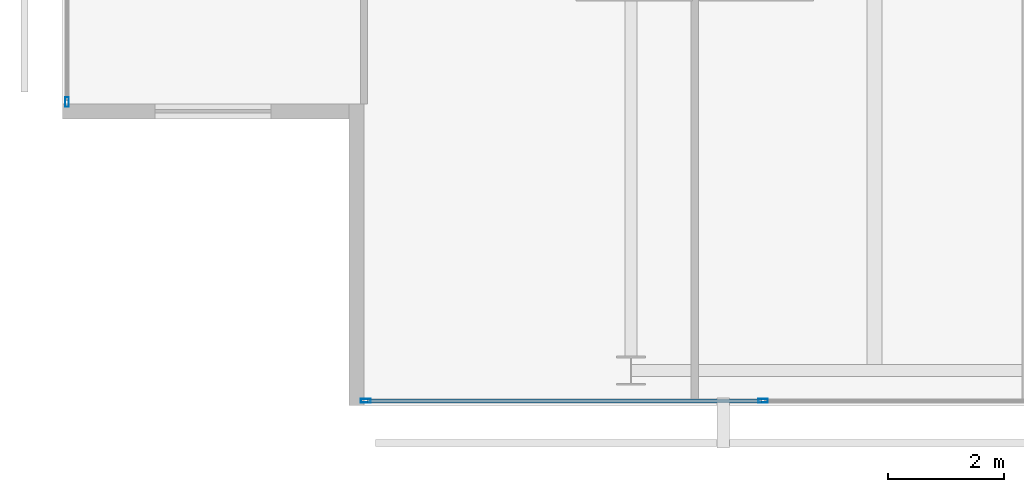
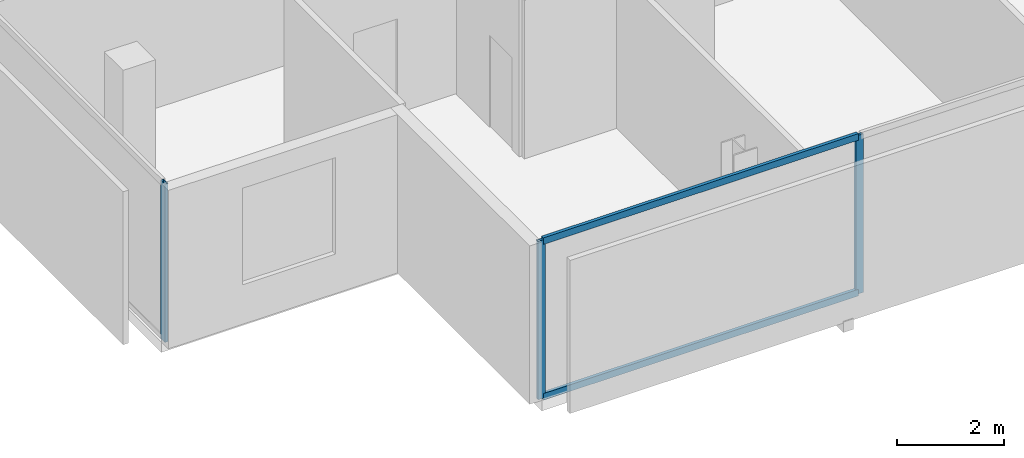
# One storey, part 2 of 26: 5 members, 2 elements without a shape of their own.
"""IFC4 building model written with IfcOpenShell, lengths in metres."""

import ifcopenshell
import ifcopenshell.guid

model = None  # the IFC model being written
_history = None  # IfcOwnerHistory: only IFC2X3 demands one
_inside = {}  # id of a spatial element -> (the spatial element, [elements in it])
_under = {}  # id of a project, library or spatial element -> (it, [spatial elements below it])
_declared = {}  # id of a project -> (the project, [libraries it declares])
_typed = {}  # id of a type object -> (the type object, [elements of that type])
_made_of = {}  # id of a material, layer set ... -> (it, [elements and type objects made of it])


def new_model(schema):
    """Start an empty IFC model of exactly this schema.

    Asked for "IFC4X3", IfcOpenShell would pick the latest addendum, in which some entities
    have other attributes; the version numbers below select the first issue.
    IFC2X3 requires an IfcOwnerHistory on every rooted entity: one is made here for all.
    """
    global model, _history
    if schema == "IFC4X3":
        model = ifcopenshell.file(schema_version=(4, 3, 0, 0))
    else:
        model = ifcopenshell.file(schema=schema)
    _inside.clear()
    _under.clear()
    _declared.clear()
    _typed.clear()
    _made_of.clear()
    _history = None
    if model.schema == "IFC2X3":
        org = make("IfcOrganization", Name="unknown")
        user = make(
            "IfcPersonAndOrganization",
            ThePerson=make("IfcPerson", FamilyName="unknown"),
            TheOrganization=org,
        )
        app = make(
            "IfcApplication",
            ApplicationDeveloper=org,
            Version="unknown",
            ApplicationFullName="unknown",
            ApplicationIdentifier="unknown",
        )
        _history = make(
            "IfcOwnerHistory",
            OwningUser=user,
            OwningApplication=app,
            ChangeAction="ADDED",
            CreationDate=0,
        )
    return model


def make(cls, **values):
    """One entity of the class cls with the attributes given. An attribute that is None is left unset."""
    return model.create_entity(
        cls, **{name: value for name, value in values.items() if value is not None}
    )


def rooted(cls, **values):
    """An entity with a GlobalId (a new one), such as an element, a storey or a relation."""
    return make(cls, GlobalId=ifcopenshell.guid.new(), OwnerHistory=_history, **values)


def si_unit(unit_type, name, prefix=None):
    """IfcSIUnit, for example si_unit("LENGTHUNIT", "METRE", prefix="MILLI")."""
    return make("IfcSIUnit", UnitType=unit_type, Prefix=prefix, Name=name)


def assignment(units):
    """IfcUnitAssignment: the units of a project."""
    return None if units is None else make("IfcUnitAssignment", Units=units)


def point(xyz):
    """IfcCartesianPoint."""
    return None if xyz is None else make("IfcCartesianPoint", Coordinates=xyz)


def direction(xyz):
    """IfcDirection."""
    return None if xyz is None else make("IfcDirection", DirectionRatios=xyz)


def frame(location, z_axis=None, x_axis=None):
    """IfcAxis2Placement3D, a coordinate frame: its origin and axes. An axis left out is left unset."""
    return make(
        "IfcAxis2Placement3D",
        Location=point(location),
        Axis=direction(z_axis),
        RefDirection=direction(x_axis),
    )


def frame_2d(location, x_axis=None):
    """IfcAxis2Placement2D, a coordinate frame in the plane: its origin and x axis."""
    return make(
        "IfcAxis2Placement2D", Location=point(location), RefDirection=direction(x_axis)
    )


def origin():
    """The frame at (0, 0, 0) with its axes left unset."""
    return frame((0.0, 0.0, 0.0))


def origin_2d():
    """The frame at (0, 0) in the plane with its x axis left unset."""
    return frame_2d((0.0, 0.0))


def place(relative_to, where):
    """IfcLocalPlacement: puts the frame where relative to a parent placement (None: the world)."""
    return make(
        "IfcLocalPlacement", PlacementRelTo=relative_to, RelativePlacement=where
    )


def context(
    kind, dimensions, precision=None, world=None, true_north=None, identifier=None
):
    """IfcGeometricRepresentationContext, for example the 3D "Model" context."""
    return make(
        "IfcGeometricRepresentationContext",
        ContextIdentifier=identifier,
        ContextType=kind,
        CoordinateSpaceDimension=dimensions,
        Precision=precision,
        WorldCoordinateSystem=world,
        TrueNorth=true_north,
    )


def subcontext(parent, identifier, kind, view, scale=None):
    """IfcGeometricRepresentationSubContext, for example "Body" below "Model"."""
    return make(
        "IfcGeometricRepresentationSubContext",
        ContextIdentifier=identifier,
        ContextType=kind,
        ParentContext=parent,
        TargetScale=scale,
        TargetView=view,
    )


def project(units=None, contexts=None):
    """IfcProject with its units and contexts."""
    return rooted(
        "IfcProject",
        Name="project",
        RepresentationContexts=contexts,
        UnitsInContext=assignment(units),
    )


def spatial(cls, under=None, at=None, **own):
    """A site, building, storey or space (cls), placed at a placement, below another one or the project."""
    s = rooted(cls, ObjectPlacement=at, **own)
    if under is not None:
        _under.setdefault(under.id(), (under, []))[1].append(s)
    return s


def profile(cls, at=None, kind="AREA", **sizes):
    """A parametric profile (cls). Its sizes go by their IFC names, for example OverallWidth=200.0."""
    return make(cls, ProfileType=kind, Position=at, **sizes)


def hollow_rectangle(**sizes):
    """IfcRectangleHollowProfileDef."""
    return profile("IfcRectangleHollowProfileDef", **sizes)


def extrude(swept, where, along, depth):
    """IfcExtrudedAreaSolid: the profile swept, set in the frame where, extruded along a direction by depth."""
    return make(
        "IfcExtrudedAreaSolid",
        SweptArea=swept,
        Position=where,
        ExtrudedDirection=direction(along),
        Depth=depth,
    )


def shape(context_of_items, identifier, shape_type, items):
    """IfcShapeRepresentation: the items that make up one representation, for example the "Body"."""
    return make(
        "IfcShapeRepresentation",
        ContextOfItems=context_of_items,
        RepresentationIdentifier=identifier,
        RepresentationType=shape_type,
        Items=items,
    )


def material(Name=None, Category=None):
    """IfcMaterial."""
    return make("IfcMaterial", Name=Name, Category=Category)


def layer(
    of_material, thickness, ventilated=None, Name=None, Category=None, Priority=None
):
    """IfcMaterialLayer: one layer of a wall or slab, of a material (None: an air gap)."""
    return make(
        "IfcMaterialLayer",
        Material=of_material,
        LayerThickness=thickness,
        IsVentilated=ventilated,
        Name=Name,
        Category=Category,
        Priority=Priority,
    )


def layer_set(layers, Name=None):
    """IfcMaterialLayerSet."""
    return make("IfcMaterialLayerSet", MaterialLayers=layers, LayerSetName=Name)


def material_profile(
    of_material, cross_section, Name=None, Category=None, Priority=None
):
    """IfcMaterialProfile: a cross section and its material."""
    return make(
        "IfcMaterialProfile",
        Name=Name,
        Material=of_material,
        Profile=cross_section,
        Priority=Priority,
        Category=Category,
    )


def profile_set(profiles, Name=None, composite=None):
    """IfcMaterialProfileSet."""
    return make(
        "IfcMaterialProfileSet",
        Name=Name,
        MaterialProfiles=profiles,
        CompositeProfile=composite,
    )


def made_of(thing, what):
    """Note that an element or type object is made of a material, layer set ...; save() writes the relation."""
    if what is not None:
        _made_of.setdefault(what.id(), (what, []))[1].append(thing)
    return thing


def type_object(cls, material=None, **own):
    """A type object (cls), such as IfcWallType, which elements share."""
    return made_of(rooted(cls, **own), material)


def element(
    cls,
    number,
    at=None,
    inside=None,
    cuts=None,
    type_object=None,
    material=None,
    context=None,
    identifier="Body",
    shape_type=None,
    held_by="IfcProductDefinitionShape",
    body=None,
    shapes=None,
    **own,
):
    """One element of the class cls, such as IfcWall. Its Tag is "e" and its number.

    at: its placement. inside: the storey or other place that contains it. cuts: it is an
    opening in that element (IfcRelVoidsElement). A single representation is given by context,
    identifier, shape_type and body (its items); several are given by shapes. held_by: the class
    of the entity that holds the representations. save() writes the other relations.
    """
    e = rooted(cls, Tag="e%d" % number, ObjectPlacement=at, **own)
    if body is not None:
        shapes = [shape(context, identifier, shape_type, body)]
    if shapes is not None:
        e.Representation = make(held_by, Representations=shapes)
    if inside is not None:
        _inside.setdefault(inside.id(), (inside, []))[1].append(e)
    if cuts is not None:
        rooted(
            "IfcRelVoidsElement", RelatingBuildingElement=cuts, RelatedOpeningElement=e
        )
    if type_object is not None:
        _typed.setdefault(type_object.id(), (type_object, []))[1].append(e)
    return made_of(e, material)


def aggregate(whole, parts):
    """IfcRelAggregates: a whole, such as a stair, and the parts it consists of."""
    return rooted("IfcRelAggregates", RelatingObject=whole, RelatedObjects=parts)


def save(model, path):
    """Write the relations noted so far, then the file.

    IfcRelAggregates (storeys below a building ...), IfcRelContainedInSpatialStructure (elements
    in a storey), IfcRelDefinesByType, IfcRelAssociatesMaterial and IfcRelDeclares: one each for
    every whole, place, type object, material and project.
    """
    for whole, parts in _under.values():
        aggregate(whole, parts)
    for where, things in _inside.values():
        rooted(
            "IfcRelContainedInSpatialStructure",
            RelatedElements=things,
            RelatingStructure=where,
        )
    for kind, things in _typed.values():
        rooted("IfcRelDefinesByType", RelatedObjects=things, RelatingType=kind)
    for what, things in _made_of.values():
        rooted("IfcRelAssociatesMaterial", RelatedObjects=things, RelatingMaterial=what)
    for by, libraries in _declared.values():
        rooted("IfcRelDeclares", RelatingContext=by, RelatedDefinitions=libraries)
    model.write(path)


model = new_model("IFC4")

# Units and contexts
model_context = context("Model", 3, precision=1e-05, world=origin(), true_north=direction((0.0, 1.0)))
body_context = subcontext(model_context, "Body", "Model", "MODEL_VIEW")
ifc_project = project(units=[si_unit("LENGTHUNIT", "METRE"), si_unit("AREAUNIT", "SQUARE_METRE"), si_unit("VOLUMEUNIT", "CUBIC_METRE"), si_unit("PLANEANGLEUNIT", "RADIAN"), si_unit("MASSUNIT", "GRAM", prefix="KILO")], contexts=[model_context])

# Site, building, storey
site_placement = place(None, origin())
site = spatial("IfcSite", under=ifc_project, at=site_placement, CompositionType="ELEMENT")
building_placement = place(site_placement, origin())
building = spatial("IfcBuilding", under=site, at=building_placement, Name="Maruvema Waterfront Hotel and Observation Tower", CompositionType="ELEMENT")
storey_placement = place(building_placement, frame((0.0, 0.0, 243.25)))
storey = spatial("IfcBuildingStorey", under=building, at=storey_placement, Name="L59", CompositionType="ELEMENT", Elevation=243.25)

# Curtain wall, members
ifc_material_1 = material(Name="Anodised bronze aluminium and solar-control low-E IGU", Category="aluminium")
ifc_layer = layer(ifc_material_1, 0.159912109375, Name="Zone 3 Champagne Inner Thermal Curtain Wall System CW-04")
ifc_layer_set = layer_set([ifc_layer], Name="Anodised bronze aluminium and solar-control low-E IGU")
curtain_wall_type = type_object("IfcCurtainWallType", Name="Zone 3 Champagne Inner Thermal Curtain Wall System CW-04", PredefinedType="USERDEFINED", material=ifc_layer_set)
curtain_wall_1_placement = place(storey_placement, origin())
curtain_wall_1 = element("IfcCurtainWall", 1, at=curtain_wall_1_placement, inside=storey, type_object=curtain_wall_type, Name="L59 Curtain Wall CW-L59-S", ObjectType="UNITISED CURTAIN WALL", PredefinedType="USERDEFINED")
ifc_material_2 = material(Name="Anodised architectural bronze aluminium", Category="aluminium")
ifc_material_profile_1 = material_profile(ifc_material_2, hollow_rectangle(XDim=0.070068359375, YDim=0.14990234375, WallThickness=0.00390625, at=origin_2d()), Name="ALU-T70x150")
ifc_profile_set_1 = profile_set([ifc_material_profile_1], Name="Anodised architectural bronze aluminium")
member_type_1 = type_object("IfcMemberType", Name="Curtain Wall Horizontal Transom ALU-T70x150", PredefinedType="USERDEFINED", material=ifc_profile_set_1)
member_1_placement = place(storey_placement, frame((20.659912109375, 9.280029296875, 0.030029296875), z_axis=(1.0, 0.0, 0.0), x_axis=(0.0, 1.0, 0.0)))
member_1 = element("IfcMember", 2, at=member_1_placement, type_object=member_type_1, Name="CW-04 transom 1.1", ObjectType="TRANSOM", PredefinedType="USERDEFINED", context=body_context, shape_type="SweptSolid", body=[
    extrude(hollow_rectangle(XDim=0.070068359375, YDim=0.14990234375, WallThickness=0.00390625, at=origin_2d()), origin(), (0.0, 0.0, 1.0), 6.7900390625),
])
member_2_placement = place(storey_placement, frame((20.659912109375, 9.280029296875, 3.580078125), z_axis=(1.0, 0.0, 0.0), x_axis=(0.0, 1.0, 0.0)))
member_2 = element("IfcMember", 3, at=member_2_placement, type_object=member_type_1, Name="CW-04 transom 1.2", ObjectType="TRANSOM", PredefinedType="USERDEFINED", context=body_context, shape_type="SweptSolid", body=[
    extrude(hollow_rectangle(XDim=0.070068359375, YDim=0.14990234375, WallThickness=0.00390625, at=origin_2d()), origin(), (0.0, 0.0, 1.0), 6.7900390625),
])
ifc_material_3 = material(Name="Anodised architectural bronze aluminium", Category="aluminium")
ifc_material_profile_2 = material_profile(ifc_material_3, hollow_rectangle(XDim=0.06494140625, YDim=0.1650390625, WallThickness=0.00390625, at=origin_2d()), Name="ALU-M65x165")
ifc_profile_set_2 = profile_set([ifc_material_profile_2], Name="Anodised architectural bronze aluminium")
member_type_2 = type_object("IfcMemberType", Name="Curtain Wall Primary Mullion ALU-M65x165", PredefinedType="MULLION", material=ifc_profile_set_2)
member_3_placement = place(storey_placement, frame((20.6298828125, 9.280029296875, 0.0), z_axis=(0.0, 0.0, 1.0), x_axis=(0.0, 1.0, 0.0)))
member_3 = element("IfcMember", 4, at=member_3_placement, type_object=member_type_2, Name="CW-04 mullion 1", PredefinedType="MULLION", context=body_context, shape_type="SweptSolid", body=[
    extrude(hollow_rectangle(XDim=0.06494140625, YDim=0.1650390625, WallThickness=0.00390625, at=origin_2d()), origin(), (0.0, 0.0, 1.0), 3.610107421875),
])
member_4_placement = place(storey_placement, frame((27.47998046875, 9.280029296875, 0.0), z_axis=(0.0, 0.0, 1.0), x_axis=(0.0, 1.0, 0.0)))
member_4 = element("IfcMember", 5, at=member_4_placement, type_object=member_type_2, Name="CW-04 mullion 2", PredefinedType="MULLION", context=body_context, shape_type="SweptSolid", body=[
    extrude(hollow_rectangle(XDim=0.06494140625, YDim=0.1650390625, WallThickness=0.00390625, at=origin_2d()), origin(), (0.0, 0.0, 1.0), 3.610107421875),
])
aggregate(curtain_wall_1, [member_3, member_4, member_1, member_2])

# Curtain wall, member
curtain_wall_2_placement = place(storey_placement, origin())
curtain_wall_2 = element("IfcCurtainWall", 6, at=curtain_wall_2_placement, inside=storey, type_object=curtain_wall_type, Name="L59 Curtain Wall CW-L59-W", ObjectType="UNITISED CURTAIN WALL", PredefinedType="USERDEFINED")
member_5_placement = place(storey_placement, frame((15.47998046875, 14.429931640625, 0.0), z_axis=(0.0, 0.0, 1.0), x_axis=(1.0, 0.0, 0.0)))
member_5 = element("IfcMember", 7, at=member_5_placement, type_object=member_type_2, Name="CW-04 mullion 6", PredefinedType="MULLION", context=body_context, shape_type="SweptSolid", body=[
    extrude(hollow_rectangle(XDim=0.06494140625, YDim=0.1650390625, WallThickness=0.00390625, at=origin_2d()), origin(), (0.0, 0.0, 1.0), 3.610107421875),
])
aggregate(curtain_wall_2, [member_5])

save(model, "model.ifc")
